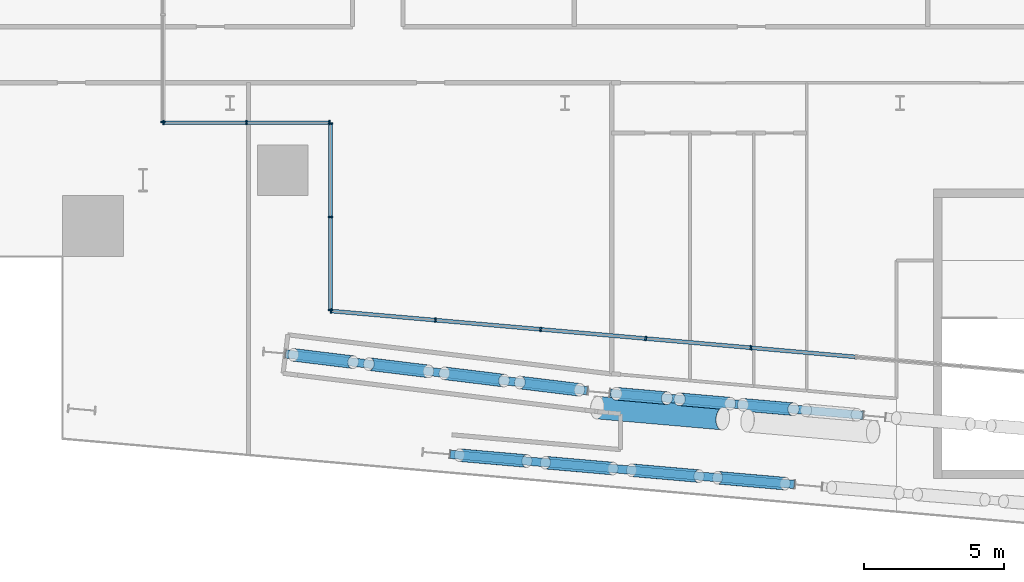
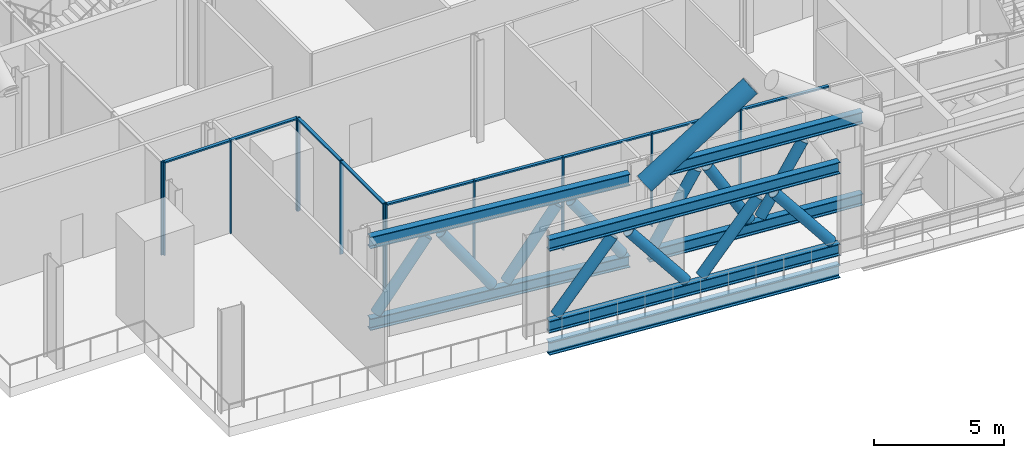
# One storey, part 5 of 39: 39 members, 1 beam, 4 elements without a shape of their own.
"""IFC4 building model written with IfcOpenShell, lengths in metres."""

from ifc_helpers import new_model, si_unit, direction, frame, origin, origin_2d, place, context, subcontext, project, spatial, rectangle, hollow_circle, i_section, extrude, material, material_profile, profile_set, type_object, element, aggregate, save


model = new_model("IFC4")

# Units and contexts
model_context = context("Model", 3, precision=1e-05, world=origin(), true_north=direction((0.0, 1.0)))
body_context = subcontext(model_context, "Body", "Model", "MODEL_VIEW")
ifc_project = project(units=[si_unit("LENGTHUNIT", "METRE"), si_unit("AREAUNIT", "SQUARE_METRE"), si_unit("VOLUMEUNIT", "CUBIC_METRE"), si_unit("PLANEANGLEUNIT", "RADIAN"), si_unit("MASSUNIT", "GRAM", prefix="KILO")], contexts=[model_context])

# Site, building, storey
site_placement = place(None, origin())
site = spatial("IfcSite", under=ifc_project, at=site_placement, CompositionType="ELEMENT")
building_placement = place(site_placement, origin())
building = spatial("IfcBuilding", under=site, at=building_placement, Name="Wharfspan Tower", CompositionType="ELEMENT")
storey_placement = place(building_placement, frame((0.0, 0.0, 91.899902)))
storey = spatial("IfcBuildingStorey", under=building, at=storey_placement, Name="L20", CompositionType="ELEMENT", Elevation=91.899902)

# Beam
ifc_material_1 = material(Name="Steel S355J2", Category="steel")
ifc_material_profile_1 = material_profile(ifc_material_1, i_section(OverallWidth=0.300049, OverallDepth=0.600098, WebThickness=0.015381, FlangeThickness=0.030029, FilletRadius=0.0271, at=origin_2d()))
ifc_profile_set_1 = profile_set([ifc_material_profile_1], Name="Steel S355J2")
beam_type = type_object("IfcBeamType", Name="Edge beam HEB 600", PredefinedType="SPANDREL", material=ifc_profile_set_1)
beam_placement = place(storey_placement, frame((19.888916, -1.077637, -0.75), z_axis=(0.996195, -0.087154, 0.0), x_axis=(0.087154, 0.996195, 0.0)))
element("IfcBeam", 1, at=beam_placement, inside=storey, type_object=beam_type, Name="Edge beam S1 L20 PS1.2 to PS1.3", PredefinedType="SPANDREL", context=body_context, shape_type="SweptSolid", body=[
    extrude(i_section(OverallWidth=0.300049, OverallDepth=0.600098, WebThickness=0.015381, FlangeThickness=0.030029, FilletRadius=0.0271, at=origin_2d()), origin(), (0.0, 0.0, 1.0), 12.384277),
])

# Curtain wall, members
ifc_material_2 = material(Name="Aluminium 6063-T6", Category="aluminium")
curtain_wall_type = type_object("IfcCurtainWallType", Name="CURTAIN WALL BAND RECESS", PredefinedType="NOTDEFINED", material=ifc_material_2)
curtain_wall_1_placement = place(storey_placement, origin())
curtain_wall_1 = element("IfcCurtainWall", 2, at=curtain_wall_1_placement, inside=storey, type_object=curtain_wall_type, Name="Recess glazing R1", PredefinedType="NOTDEFINED")
ifc_material_profile_2 = material_profile(ifc_material_2, rectangle(XDim=0.159912, YDim=0.060059, at=origin_2d()))
ifc_profile_set_2 = profile_set([ifc_material_profile_2], Name="Aluminium 6063-T6")
member_type_1 = type_object("IfcMemberType", Name="MULLION BAND RECESS 60x160", PredefinedType="MULLION", material=ifc_profile_set_2)
member_1_placement = place(storey_placement, frame((15.570068, 10.800049, 0.0), z_axis=(0.0, 0.0, 1.0), x_axis=(0.0, -1.0, 0.0)))
member_1 = element("IfcMember", 3, at=member_1_placement, type_object=member_type_1, Name="Recess glazing R1 mullion 1", PredefinedType="MULLION", context=body_context, shape_type="SweptSolid", body=[
    extrude(rectangle(XDim=0.159912, YDim=0.060059, at=origin_2d()), origin(), (0.0, 0.0, 1.0), 4.400146),
])
member_2_placement = place(storey_placement, frame((12.600098, 10.800049, 0.0), z_axis=(0.0, 0.0, 1.0), x_axis=(0.0, -1.0, 0.0)))
member_2 = element("IfcMember", 4, at=member_2_placement, type_object=member_type_1, Name="Recess glazing R1 mullion 2", PredefinedType="MULLION", context=body_context, shape_type="SweptSolid", body=[
    extrude(rectangle(XDim=0.159912, YDim=0.060059, at=origin_2d()), origin(), (0.0, 0.0, 1.0), 4.400146),
])
member_3_placement = place(storey_placement, frame((9.629883, 10.800049, 0.0), z_axis=(0.0, 0.0, 1.0), x_axis=(0.0, -1.0, 0.0)))
member_3 = element("IfcMember", 5, at=member_3_placement, type_object=member_type_1, Name="Recess glazing R1 mullion 3", PredefinedType="MULLION", context=body_context, shape_type="SweptSolid", body=[
    extrude(rectangle(XDim=0.159912, YDim=0.060059, at=origin_2d()), origin(), (0.0, 0.0, 1.0), 4.400146),
])

# Curtain wall, member
curtain_wall_2_placement = place(storey_placement, origin())
curtain_wall_2 = element("IfcCurtainWall", 6, at=curtain_wall_2_placement, inside=storey, type_object=curtain_wall_type, Name="Recess glazing R2", PredefinedType="NOTDEFINED")
member_4_placement = place(storey_placement, frame((9.600098, 10.830078, 0.0), z_axis=(0.0, 0.0, 1.0), x_axis=(-1.0, 0.0, 0.0)))
member_4 = element("IfcMember", 7, at=member_4_placement, type_object=member_type_1, Name="Recess glazing R2 mullion 1", PredefinedType="MULLION", context=body_context, shape_type="SweptSolid", body=[
    extrude(rectangle(XDim=0.159912, YDim=0.060059, at=origin_2d()), origin(), (0.0, 0.0, 1.0), 4.400146),
])
aggregate(curtain_wall_2, [member_4])

# Curtain wall, members
curtain_wall_3_placement = place(storey_placement, origin())
curtain_wall_3 = element("IfcCurtainWall", 8, at=curtain_wall_3_placement, inside=storey, type_object=curtain_wall_type, Name="Recess glazing R6", PredefinedType="NOTDEFINED")
member_5_placement = place(storey_placement, frame((30.666748, 2.739258, 0.0), z_axis=(0.0, 0.0, 1.0), x_axis=(-0.087156, -0.996198, 0.0)))
member_5 = element("IfcMember", 9, at=member_5_placement, type_object=member_type_1, Name="Recess glazing R6 mullion 6", PredefinedType="MULLION", context=body_context, shape_type="SweptSolid", body=[
    extrude(rectangle(XDim=0.159912, YDim=0.060059, at=origin_2d()), origin(), (0.0, 0.0, 1.0), 4.400146),
])
member_6_placement = place(storey_placement, frame((26.899902, 3.068848, 0.0), z_axis=(0.0, 0.0, 1.0), x_axis=(-0.087156, -0.996198, 0.0)))
member_6 = element("IfcMember", 10, at=member_6_placement, type_object=member_type_1, Name="Recess glazing R6 mullion 7", PredefinedType="MULLION", context=body_context, shape_type="SweptSolid", body=[
    extrude(rectangle(XDim=0.159912, YDim=0.060059, at=origin_2d()), origin(), (0.0, 0.0, 1.0), 4.400146),
])
member_7_placement = place(storey_placement, frame((23.133301, 3.398438, 0.0), z_axis=(0.0, 0.0, 1.0), x_axis=(-0.087156, -0.996198, 0.0)))
member_7 = element("IfcMember", 11, at=member_7_placement, type_object=member_type_1, Name="Recess glazing R6 mullion 8", PredefinedType="MULLION", context=body_context, shape_type="SweptSolid", body=[
    extrude(rectangle(XDim=0.159912, YDim=0.060059, at=origin_2d()), origin(), (0.0, 0.0, 1.0), 4.400146),
])
member_8_placement = place(storey_placement, frame((19.366699, 3.728027, 0.0), z_axis=(0.0, 0.0, 1.0), x_axis=(-0.087156, -0.996198, 0.0)))
member_8 = element("IfcMember", 12, at=member_8_placement, type_object=member_type_1, Name="Recess glazing R6 mullion 9", PredefinedType="MULLION", context=body_context, shape_type="SweptSolid", body=[
    extrude(rectangle(XDim=0.159912, YDim=0.060059, at=origin_2d()), origin(), (0.0, 0.0, 1.0), 4.400146),
])
member_9_placement = place(storey_placement, frame((15.629883, 4.054932, 0.0), z_axis=(0.0, 0.0, 1.0), x_axis=(-0.087156, -0.996198, 0.0)))
member_9 = element("IfcMember", 13, at=member_9_placement, type_object=member_type_1, Name="Recess glazing R6 mullion 10", PredefinedType="MULLION", context=body_context, shape_type="SweptSolid", body=[
    extrude(rectangle(XDim=0.159912, YDim=0.060059, at=origin_2d()), origin(), (0.0, 0.0, 1.0), 4.400146),
])

curtain_wall_4_placement = place(storey_placement, origin())
curtain_wall_4 = element("IfcCurtainWall", 14, at=curtain_wall_4_placement, inside=storey, type_object=curtain_wall_type, Name="Recess glazing R7", PredefinedType="NOTDEFINED")
member_10_placement = place(storey_placement, frame((15.600098, 4.087646, 0.0), z_axis=(0.0, 0.0, 1.0), x_axis=(-1.0, 0.0, 0.0)))
member_10 = element("IfcMember", 15, at=member_10_placement, type_object=member_type_1, Name="Recess glazing R7 mullion 1", PredefinedType="MULLION", context=body_context, shape_type="SweptSolid", body=[
    extrude(rectangle(XDim=0.159912, YDim=0.060059, at=origin_2d()), origin(), (0.0, 0.0, 1.0), 4.400146),
])
member_11_placement = place(storey_placement, frame((15.600098, 7.428711, 0.0), z_axis=(0.0, 0.0, 1.0), x_axis=(-1.0, 0.0, 0.0)))
member_11 = element("IfcMember", 16, at=member_11_placement, type_object=member_type_1, Name="Recess glazing R7 mullion 2", PredefinedType="MULLION", context=body_context, shape_type="SweptSolid", body=[
    extrude(rectangle(XDim=0.159912, YDim=0.060059, at=origin_2d()), origin(), (0.0, 0.0, 1.0), 4.400146),
])
member_12_placement = place(storey_placement, frame((15.600098, 10.77002, 0.0), z_axis=(0.0, 0.0, 1.0), x_axis=(-1.0, 0.0, 0.0)))
member_12 = element("IfcMember", 17, at=member_12_placement, type_object=member_type_1, Name="Recess glazing R7 mullion 3", PredefinedType="MULLION", context=body_context, shape_type="SweptSolid", body=[
    extrude(rectangle(XDim=0.159912, YDim=0.060059, at=origin_2d()), origin(), (0.0, 0.0, 1.0), 4.400146),
])

# Member
ifc_material_3 = material(Name="Steel S460NH", Category="steel")
ifc_material_profile_3 = material_profile(ifc_material_3, hollow_circle(Radius=0.406494, WallThickness=0.040039, at=origin_2d()))
ifc_profile_set_3 = profile_set([ifc_material_profile_3], Name="Steel S460NH")
member_type_2 = type_object("IfcMemberType", Name="Mega brace CHS 813x40", PredefinedType="BRACE", material=ifc_profile_set_3)
member_13_placement = place(storey_placement, frame((25.165283, 0.595703, 4.100098), z_axis=(0.80603, -0.070526, 0.587658), x_axis=(0.087167, 0.996192, -3e-06)))
element("IfcMember", 18, at=member_13_placement, inside=storey, type_object=member_type_2, Name="Mega brace S1 L21 part 1", PredefinedType="BRACE", context=body_context, shape_type="SweptSolid", body=[
    extrude(hollow_circle(Radius=0.406494, WallThickness=0.040039, at=origin_2d()), origin(), (0.0, 0.0, 1.0), 5.569824),
])

ifc_material_profile_4 = material_profile(ifc_material_2, rectangle(XDim=0.139893, YDim=0.070068, at=origin_2d()))
ifc_profile_set_4 = profile_set([ifc_material_profile_4], Name="Aluminium 6063-T6")
member_type_3 = type_object("IfcMemberType", Name="TRANSOM BAND RECESS 70x140", PredefinedType="USERDEFINED", material=ifc_profile_set_4)
member_14_placement = place(storey_placement, frame((15.540039, 10.800049, 4.36499), z_axis=(-1.0, 0.0, 0.0), x_axis=(0.0, -1.0, 0.0)))
member_14 = element("IfcMember", 19, at=member_14_placement, type_object=member_type_3, Name="Recess glazing R1 transom 1", ObjectType="TRANSOM", PredefinedType="USERDEFINED", context=body_context, shape_type="SweptSolid", body=[
    extrude(rectangle(XDim=0.139893, YDim=0.070068, at=origin_2d()), origin(), (0.0, 0.0, 1.0), 2.910156),
])

member_15_placement = place(storey_placement, frame((12.570068, 10.800049, 4.36499), z_axis=(-1.0, 0.0, 0.0), x_axis=(0.0, -1.0, 0.0)))
member_15 = element("IfcMember", 20, at=member_15_placement, type_object=member_type_3, Name="Recess glazing R1 transom 2", ObjectType="TRANSOM", PredefinedType="USERDEFINED", context=body_context, shape_type="SweptSolid", body=[
    extrude(rectangle(XDim=0.139893, YDim=0.070068, at=origin_2d()), origin(), (0.0, 0.0, 1.0), 2.910156),
])

aggregate(curtain_wall_1, [member_1, member_2, member_3, member_14, member_15])

member_16_placement = place(storey_placement, frame((34.403564, 2.412354, 4.36499), z_axis=(-0.996191, 0.087193, 0.0), x_axis=(-0.087193, -0.996191, 0.0)))
member_16 = element("IfcMember", 21, at=member_16_placement, type_object=member_type_3, Name="Recess glazing R6 transom 5", ObjectType="TRANSOM", PredefinedType="USERDEFINED", context=body_context, shape_type="SweptSolid", body=[
    extrude(rectangle(XDim=0.139893, YDim=0.070068, at=origin_2d()), origin(), (0.0, 0.0, 1.0), 3.721191),
])

member_17_placement = place(storey_placement, frame((30.636719, 2.741943, 4.36499), z_axis=(-0.996191, 0.087199, 0.0), x_axis=(-0.087199, -0.996191, 0.0)))
member_17 = element("IfcMember", 22, at=member_17_placement, type_object=member_type_3, Name="Recess glazing R6 transom 6", ObjectType="TRANSOM", PredefinedType="USERDEFINED", context=body_context, shape_type="SweptSolid", body=[
    extrude(rectangle(XDim=0.139893, YDim=0.070068, at=origin_2d()), origin(), (0.0, 0.0, 1.0), 3.720947),
])

member_18_placement = place(storey_placement, frame((26.870117, 3.071533, 4.36499), z_axis=(-0.996197, 0.087134, 0.0), x_axis=(-0.087134, -0.996197, 0.0)))
member_18 = element("IfcMember", 23, at=member_18_placement, type_object=member_type_3, Name="Recess glazing R6 transom 7", ObjectType="TRANSOM", PredefinedType="USERDEFINED", context=body_context, shape_type="SweptSolid", body=[
    extrude(rectangle(XDim=0.139893, YDim=0.070068, at=origin_2d()), origin(), (0.0, 0.0, 1.0), 3.720947),
])

member_19_placement = place(storey_placement, frame((23.103516, 3.401123, 4.36499), z_axis=(-0.996197, 0.087128, 0.0), x_axis=(-0.087128, -0.996197, 0.0)))
member_19 = element("IfcMember", 24, at=member_19_placement, type_object=member_type_3, Name="Recess glazing R6 transom 8", ObjectType="TRANSOM", PredefinedType="USERDEFINED", context=body_context, shape_type="SweptSolid", body=[
    extrude(rectangle(XDim=0.139893, YDim=0.070068, at=origin_2d()), origin(), (0.0, 0.0, 1.0), 3.721191),
])

member_20_placement = place(storey_placement, frame((19.33667, 3.730713, 4.36499), z_axis=(-0.996199, 0.087112, 0.0), x_axis=(-0.087112, -0.996199, 0.0)))
member_20 = element("IfcMember", 25, at=member_20_placement, type_object=member_type_3, Name="Recess glazing R6 transom 9", ObjectType="TRANSOM", PredefinedType="USERDEFINED", context=body_context, shape_type="SweptSolid", body=[
    extrude(rectangle(XDim=0.139893, YDim=0.070068, at=origin_2d()), origin(), (0.0, 0.0, 1.0), 3.690918),
])

aggregate(curtain_wall_3, [member_5, member_6, member_7, member_8, member_9, member_16, member_17, member_18, member_19, member_20])

member_21_placement = place(storey_placement, frame((15.600098, 4.117432, 4.36499), z_axis=(0.0, 1.0, 0.0), x_axis=(-1.0, 0.0, 0.0)))
member_21 = element("IfcMember", 26, at=member_21_placement, type_object=member_type_3, Name="Recess glazing R7 transom 1", ObjectType="TRANSOM", PredefinedType="USERDEFINED", context=body_context, shape_type="SweptSolid", body=[
    extrude(rectangle(XDim=0.139893, YDim=0.070068, at=origin_2d()), origin(), (0.0, 0.0, 1.0), 3.28125),
])

member_22_placement = place(storey_placement, frame((15.600098, 7.45874, 4.36499), z_axis=(0.0, 1.0, 0.0), x_axis=(-1.0, 0.0, 0.0)))
member_22 = element("IfcMember", 27, at=member_22_placement, type_object=member_type_3, Name="Recess glazing R7 transom 2", ObjectType="TRANSOM", PredefinedType="USERDEFINED", context=body_context, shape_type="SweptSolid", body=[
    extrude(rectangle(XDim=0.139893, YDim=0.070068, at=origin_2d()), origin(), (0.0, 0.0, 1.0), 3.28125),
])

aggregate(curtain_wall_4, [member_10, member_11, member_12, member_21, member_22])

# Members
ifc_material_profile_5 = material_profile(ifc_material_1, i_section(OverallWidth=0.300049, OverallDepth=0.550049, WebThickness=0.014893, FlangeThickness=0.029053, FilletRadius=0.0271, at=origin_2d()))
ifc_profile_set_5 = profile_set([ifc_material_profile_5], Name="Steel S355J2")
member_type_4 = type_object("IfcMemberType", Name="Truss chord HEB 550", PredefinedType="CHORD", material=ifc_profile_set_5)
for number, where, z_axis, x_axis, name in (
    (28, (13.994873, 2.52002, 4.125), (0.992611, -0.12134, 0.0), (0.12134, 0.992611, 0.0), "Belt truss chord T L20 S1 PS1.1 to PS1.2"),
    (29, (13.994873, 2.52002, 0.275146), (0.992611, -0.12134, 0.0), (0.12134, 0.992611, 0.0), "Belt truss chord B L20 S1 PS1.1 to PS1.2"),
):
    element("IfcMember", number, at=place(storey_placement, frame(where, z_axis=z_axis, x_axis=x_axis)), inside=storey, type_object=member_type_4, Name=name, PredefinedType="CHORD", context=body_context, shape_type="SweptSolid", body=[
        extrude(i_section(OverallWidth=0.300049, OverallDepth=0.550049, WebThickness=0.014893, FlangeThickness=0.029053, FilletRadius=0.0271, at=origin_2d()), origin(), (0.0, 0.0, 1.0), 10.895264),
    ])
for number, where, z_axis, x_axis, name in (
    (30, (25.619141, 1.113037, 4.125), (0.996195, -0.087148, 0.0), (0.087148, 0.996195, 0.0), "Belt truss chord T L20 S1 PS1.2 to PS1.3"),
    (31, (25.619141, 1.113037, 0.275146), (0.996195, -0.087148, 0.0), (0.087148, 0.996195, 0.0), "Belt truss chord B L20 S1 PS1.2 to PS1.3"),
):
    element("IfcMember", number, at=place(storey_placement, frame(where, z_axis=z_axis, x_axis=x_axis)), inside=storey, type_object=member_type_4, Name=name, PredefinedType="CHORD", context=body_context, shape_type="SweptSolid", body=[
        extrude(i_section(OverallWidth=0.300049, OverallDepth=0.550049, WebThickness=0.014893, FlangeThickness=0.029053, FilletRadius=0.0271, at=origin_2d()), origin(), (0.0, 0.0, 1.0), 9.099121),
    ])
for number, where, z_axis, x_axis, name in (
    (32, (19.892822, -1.077881, 4.125), (0.996195, -0.087151, 0.0), (0.087151, 0.996195, 0.0), "Belt truss chord T L20 S1 PS1.2.S to PS1.3.S"),
    (33, (19.892822, -1.077881, 0.275146), (0.996195, -0.087151, 0.0), (0.087151, 0.996195, 0.0), "Belt truss chord B L20 S1 PS1.2.S to PS1.3.S"),
):
    element("IfcMember", number, at=place(storey_placement, frame(where, z_axis=z_axis, x_axis=x_axis)), inside=storey, type_object=member_type_4, Name=name, PredefinedType="CHORD", context=body_context, shape_type="SweptSolid", body=[
        extrude(i_section(OverallWidth=0.300049, OverallDepth=0.550049, WebThickness=0.014893, FlangeThickness=0.029053, FilletRadius=0.0271, at=origin_2d()), origin(), (0.0, 0.0, 1.0), 12.376465),
    ])
ifc_material_profile_6 = material_profile(ifc_material_3, hollow_circle(Radius=0.228516, WallThickness=0.016113, at=origin_2d()))
ifc_profile_set_6 = profile_set([ifc_material_profile_6], Name="Steel S460NH")
member_type_5 = type_object("IfcMemberType", Name="Truss diagonal CHS 457x16", PredefinedType="BRACE", material=ifc_profile_set_6)
for number, where, z_axis, x_axis, name in (
    (34, (14.280762, 2.485107, 0.682129), (0.573306, -0.070112, 0.816336), (0.121387, 0.992605, 2e-06), "Belt truss diagonal L20 S1 PS1.1 to PS1.2 1"),
    (35, (16.984375, 2.154541, 3.718018), (0.573306, -0.070112, -0.816336), (0.121387, 0.992605, -2e-06), "Belt truss diagonal L20 S1 PS1.1 to PS1.2 2"),
    (36, (19.687988, 1.823975, 0.682129), (0.573309, -0.070047, 0.81634), (0.121278, 0.992616, 0.0), "Belt truss diagonal L20 S1 PS1.1 to PS1.2 3"),
    (37, (22.391602, 1.493408, 3.718018), (0.573309, -0.070047, -0.81634), (0.121278, 0.992616, 0.0), "Belt truss diagonal L20 S1 PS1.1 to PS1.2 4"),
):
    element("IfcMember", number, at=place(storey_placement, frame(where, z_axis=z_axis, x_axis=x_axis)), inside=storey, type_object=member_type_5, Name=name, PredefinedType="BRACE", context=body_context, shape_type="SweptSolid", body=[
        extrude(hollow_circle(Radius=0.228516, WallThickness=0.016113, at=origin_2d()), origin(), (0.0, 0.0, 1.0), 3.718994),
    ])
for number, where, z_axis, x_axis, name in (
    (38, (25.849365, 1.093018, 0.66626), (0.506767, -0.044332, 0.860942), (0.087147, 0.996193, 0.0), "Belt truss diagonal L20 S1 PS1.2 to PS1.3 1"),
    (39, (28.115479, 0.894775, 3.733887), (0.506767, -0.044332, -0.860942), (0.087147, 0.996193, 0.0), "Belt truss diagonal L20 S1 PS1.2 to PS1.3 2"),
    (40, (30.381836, 0.696533, 0.66626), (0.506716, -0.044333, 0.860972), (0.087158, 0.996196, 0.0), "Belt truss diagonal L20 S1 PS1.2 to PS1.3 3"),
):
    element("IfcMember", number, at=place(storey_placement, frame(where, z_axis=z_axis, x_axis=x_axis)), inside=storey, type_object=member_type_5, Name=name, PredefinedType="BRACE", context=body_context, shape_type="SweptSolid", body=[
        extrude(hollow_circle(Radius=0.228516, WallThickness=0.016113, at=origin_2d()), origin(), (0.0, 0.0, 1.0), 3.562988),
    ])
for number, where, z_axis, x_axis, name in (
    (41, (20.227783, -1.107178, 0.693359), (0.624024, -0.054623, 0.779494), (0.087204, 0.996193, -3e-06), "Belt truss diagonal L20 S1 PS1.2.S to PS1.3.S 1"),
    (42, (23.310059, -1.376953, 3.707031), (0.624026, -0.05456, -0.779496), (0.087101, 0.996197, 1e-06), "Belt truss diagonal L20 S1 PS1.2.S to PS1.3.S 2"),
):
    element("IfcMember", number, at=place(storey_placement, frame(where, z_axis=z_axis, x_axis=x_axis)), inside=storey, type_object=member_type_5, Name=name, PredefinedType="BRACE", context=body_context, shape_type="SweptSolid", body=[
        extrude(hollow_circle(Radius=0.228516, WallThickness=0.016113, at=origin_2d()), origin(), (0.0, 0.0, 1.0), 3.866211),
    ])
member_23_placement = place(storey_placement, frame((26.392334, -1.646484, 0.693359), z_axis=(0.624063, -0.05462, 0.779463), x_axis=(0.087191, 0.99619, -1e-06)))
element("IfcMember", 43, at=member_23_placement, inside=storey, type_object=member_type_5, Name="Belt truss diagonal L20 S1 PS1.2.S to PS1.3.S 3", PredefinedType="BRACE", context=body_context, shape_type="SweptSolid", body=[
    extrude(hollow_circle(Radius=0.228516, WallThickness=0.016113, at=origin_2d()), origin(), (0.0, 0.0, 1.0), 3.866455),
])
member_24_placement = place(storey_placement, frame((29.474609, -1.91626, 3.707031), z_axis=(0.624065, -0.054558, -0.779465), x_axis=(0.087088, 0.996204, -3e-06)))
element("IfcMember", 44, at=member_24_placement, inside=storey, type_object=member_type_5, Name="Belt truss diagonal L20 S1 PS1.2.S to PS1.3.S 4", PredefinedType="BRACE", context=body_context, shape_type="SweptSolid", body=[
    extrude(hollow_circle(Radius=0.228516, WallThickness=0.016113, at=origin_2d()), origin(), (0.0, 0.0, 1.0), 3.866211),
])

save(model, "model.ifc")
